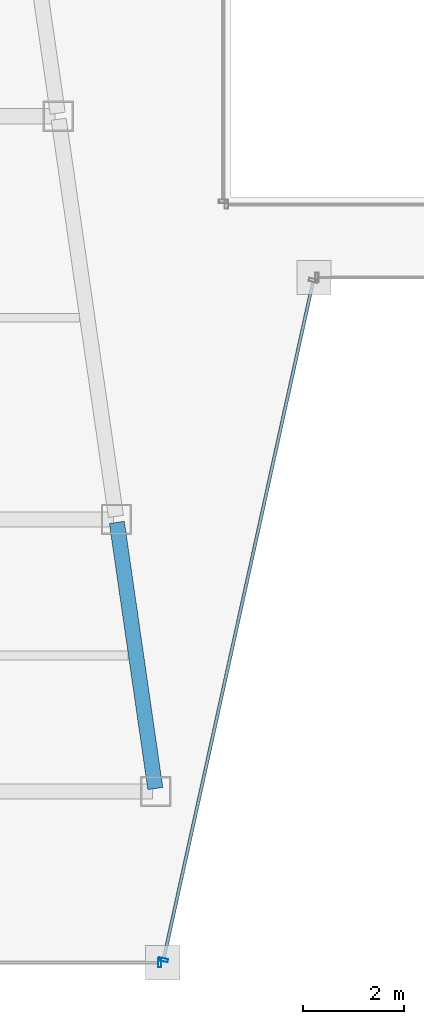
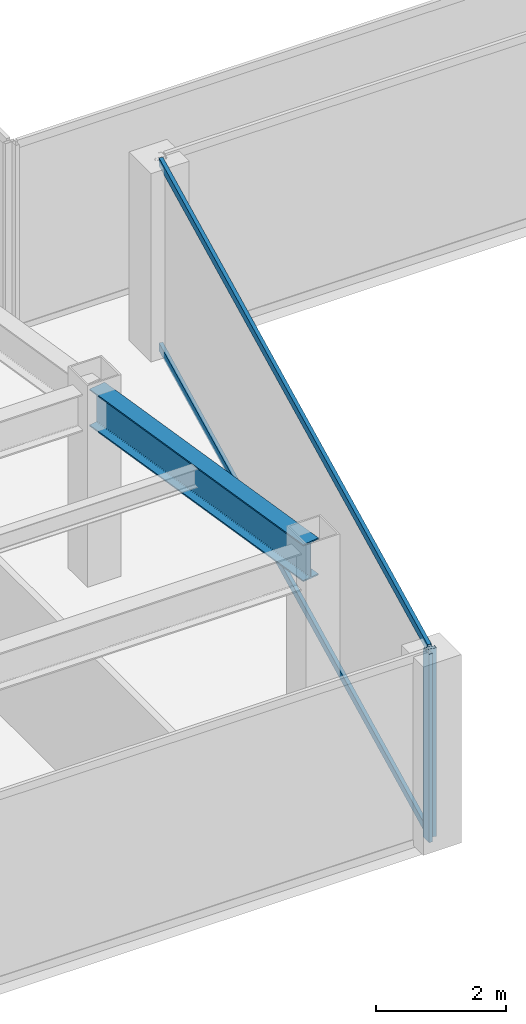
# One storey, part 5 of 37: 4 members, 1 beam, 2 elements without a shape of their own.
"""IFC4 building model written with IfcOpenShell, lengths in metres."""

from ifc_helpers import new_model, si_unit, direction, frame, origin, origin_2d, place, context, subcontext, project, spatial, hollow_rectangle, i_section, extrude, material, material_profile, profile_set, type_object, element, aggregate, save


model = new_model("IFC4")

# Units and contexts
model_context = context("Model", 3, precision=1e-05, world=origin(), true_north=direction((0.0, 1.0)))
body_context = subcontext(model_context, "Body", "Model", "MODEL_VIEW")
ifc_project = project(units=[si_unit("LENGTHUNIT", "METRE"), si_unit("AREAUNIT", "SQUARE_METRE"), si_unit("VOLUMEUNIT", "CUBIC_METRE"), si_unit("PLANEANGLEUNIT", "RADIAN"), si_unit("MASSUNIT", "GRAM", prefix="KILO")], contexts=[model_context])

# Site, building, storey
site_placement = place(None, origin())
site = spatial("IfcSite", under=ifc_project, at=site_placement, CompositionType="ELEMENT")
building_placement = place(site_placement, origin())
building = spatial("IfcBuilding", under=site, at=building_placement, Name="Saevonmaru Cultural Tower", CompositionType="ELEMENT")
storey_placement = place(building_placement, frame((0.0, 0.0, 160.0)))
storey = spatial("IfcBuildingStorey", under=building, at=storey_placement, Name="L35", CompositionType="ELEMENT", Elevation=160.0)

# Beam
ifc_material_1 = material(Name="Steel SM355", Category="steel")
ifc_material_profile_1 = material_profile(ifc_material_1, i_section(OverallWidth=0.300048828125, OverallDepth=0.699951171875, WebThickness=0.012939453125, FlangeThickness=0.02392578125, FilletRadius=0.02587890625, at=origin_2d()), Name="H-700x300x13x24")
ifc_profile_set_1 = profile_set([ifc_material_profile_1], Name="Steel SM355")
beam_type = type_object("IfcBeamType", Name="BM-G-H700", PredefinedType="BEAM", material=ifc_profile_set_1)
beam_placement = place(storey_placement, frame((22.699462890625, 10.659423828125, 3.199951171875), z_axis=(-0.142977693794, 0.989725911087, 0.0), x_axis=(-0.989725911087, -0.142977693794, 0.0)))
element("IfcBeam", 1, at=beam_placement, inside=storey, type_object=beam_type, Name="L35 West Atrium Girder 1", PredefinedType="BEAM", context=body_context, shape_type="SweptSolid", body=[
    extrude(i_section(OverallWidth=0.300048828125, OverallDepth=0.699951171875, WebThickness=0.012939453125, FlangeThickness=0.02392578125, FilletRadius=0.02587890625, at=origin_2d()), origin(), (0.0, 0.0, 1.0), 5.336181640625),
])

# Curtain wall, member
ifc_material_2 = material(Name="Satin Bronze Anodised Aluminium", Category="aluminium")
curtain_wall_type = type_object("IfcCurtainWallType", Name="CW-TYP-A", PredefinedType="NOTDEFINED", material=ifc_material_2)
curtain_wall_1_placement = place(storey_placement, origin())
curtain_wall_1 = element("IfcCurtainWall", 2, at=curtain_wall_1_placement, inside=storey, type_object=curtain_wall_type, Name="L35 Unitised Curtain Wall E2", PredefinedType="NOTDEFINED")
ifc_material_profile_2 = material_profile(ifc_material_2, hollow_rectangle(XDim=0.06494140625, YDim=0.179931640625, WallThickness=0.00390625, at=origin_2d()), Name="ALU-MULL-180x65x4")
ifc_profile_set_2 = profile_set([ifc_material_profile_2], Name="Satin Bronze Anodised Aluminium")
member_type_1 = type_object("IfcMemberType", Name="ML-CW-180x65", PredefinedType="MULLION", material=ifc_profile_set_2)
member_1_placement = place(storey_placement, frame((22.788818359375, 7.199951171875, 0.0), z_axis=(0.0, 0.0, 1.0), x_axis=(1.0, 0.0, 0.0)))
member_1 = element("IfcMember", 3, at=member_1_placement, type_object=member_type_1, Name="CW-TW-L35-E2 mullion 2", PredefinedType="MULLION", context=body_context, shape_type="SweptSolid", body=[
    extrude(hollow_rectangle(XDim=0.06494140625, YDim=0.179931640625, WallThickness=0.00390625, at=origin_2d()), origin(), (0.0, 0.0, 1.0), 3.550048828125),
])
aggregate(curtain_wall_1, [member_1])

# Curtain wall, members
curtain_wall_2_placement = place(storey_placement, origin())
curtain_wall_2 = element("IfcCurtainWall", 4, at=curtain_wall_2_placement, inside=storey, type_object=curtain_wall_type, Name="L35 Unitised Curtain Wall E3", PredefinedType="NOTDEFINED")
member_2_placement = place(storey_placement, frame((22.86181640625, 7.258544921875, 0.0), z_axis=(0.0, 0.0, 1.0), x_axis=(0.215413319953, 0.976522965212, 0.0)))
member_2 = element("IfcMember", 5, at=member_2_placement, type_object=member_type_1, Name="CW-TW-L35-E3 mullion 1", PredefinedType="MULLION", context=body_context, shape_type="SweptSolid", body=[
    extrude(hollow_rectangle(XDim=0.06494140625, YDim=0.179931640625, WallThickness=0.00390625, at=origin_2d()), origin(), (0.0, 0.0, 1.0), 3.550048828125),
])
ifc_material_profile_3 = material_profile(ifc_material_2, hollow_rectangle(XDim=0.06494140625, YDim=0.14990234375, WallThickness=0.00390625, at=origin_2d()), Name="ALU-TRAN-150x65x4")
ifc_profile_set_3 = profile_set([ifc_material_profile_3], Name="Satin Bronze Anodised Aluminium")
member_type_2 = type_object("IfcMemberType", Name="TR-CW-150x65", PredefinedType="USERDEFINED", material=ifc_profile_set_3)
member_3_placement = place(storey_placement, frame((22.868896484375, 7.290283203125, 0.032470703125), z_axis=(0.21541214732, 0.976523223885, 0.0), x_axis=(-0.976523223885, 0.21541214732, 0.0)))
member_3 = element("IfcMember", 6, at=member_3_placement, type_object=member_type_2, Name="CW-TW-L35-E3 transom 1.1", ObjectType="TRANSOM", PredefinedType="USERDEFINED", context=body_context, shape_type="SweptSolid", body=[
    extrude(hollow_rectangle(XDim=0.06494140625, YDim=0.14990234375, WallThickness=0.00390625, at=origin_2d()), origin(), (0.0, 0.0, 1.0), 13.741943359375),
])
member_4_placement = place(storey_placement, frame((22.868896484375, 7.290283203125, 3.517578125), z_axis=(0.21541214732, 0.976523223885, 0.0), x_axis=(-0.976523223885, 0.21541214732, 0.0)))
member_4 = element("IfcMember", 7, at=member_4_placement, type_object=member_type_2, Name="CW-TW-L35-E3 transom 1.2", ObjectType="TRANSOM", PredefinedType="USERDEFINED", context=body_context, shape_type="SweptSolid", body=[
    extrude(hollow_rectangle(XDim=0.06494140625, YDim=0.14990234375, WallThickness=0.00390625, at=origin_2d()), origin(), (0.0, 0.0, 1.0), 13.741943359375),
])
aggregate(curtain_wall_2, [member_2, member_3, member_4])

save(model, "model.ifc")
